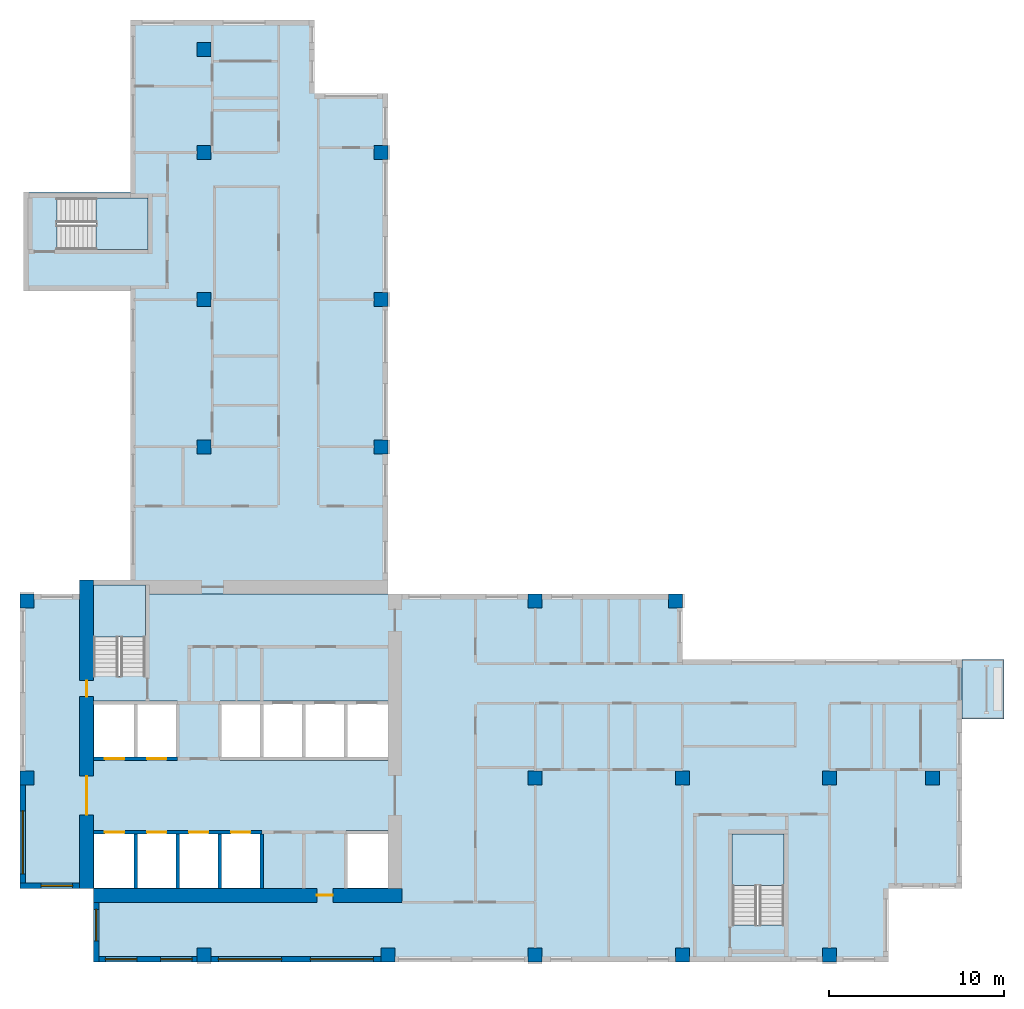
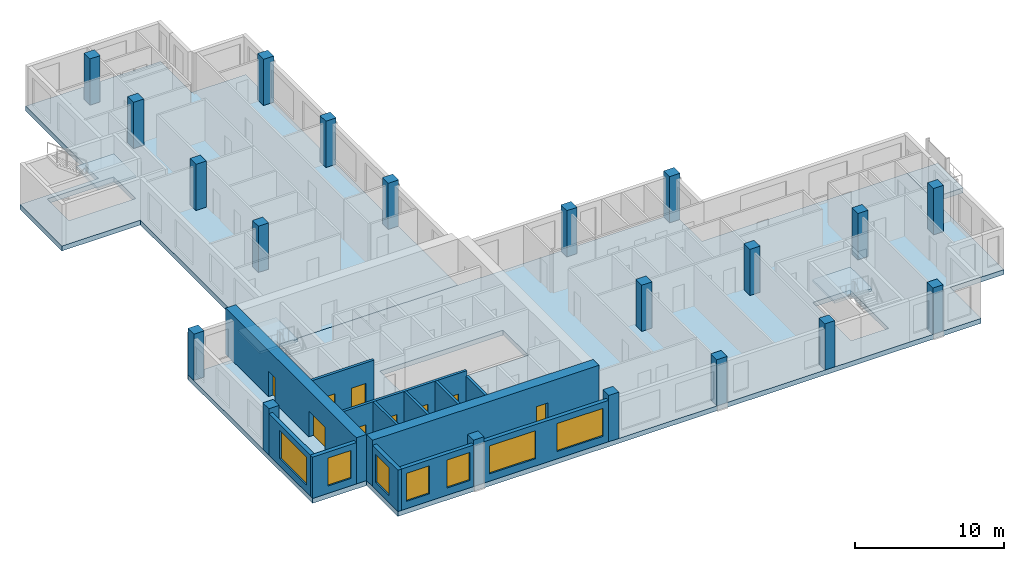
# One storey, part 1 of 11: 20 columns, 13 walls, 9 doors, 7 windows, 6 slabs, 16 openings, 3 elements without a shape of their own.
"""IFC4 building model written with IfcOpenShell, lengths in metres."""

from ifc_helpers import new_model, si_unit, direction, frame, frame_2d, origin, origin_2d, place, context, subcontext, project, spatial, polyline, rectangle, outline, extrude, source, transform, mapped, material, layer, layer_set, material_profile, profile_set, type_object, element, fill, aggregate, save


model = new_model("IFC4")

# Units and contexts
model_context = context("Model", 3, precision=1e-05, world=origin(), true_north=direction((0.0, 1.0)))
body_context = subcontext(model_context, "Body", "Model", "MODEL_VIEW")
ifc_project = project(units=[si_unit("LENGTHUNIT", "METRE"), si_unit("AREAUNIT", "SQUARE_METRE"), si_unit("VOLUMEUNIT", "CUBIC_METRE"), si_unit("PLANEANGLEUNIT", "RADIAN"), si_unit("MASSUNIT", "GRAM", prefix="KILO")], contexts=[model_context])

# Site, building, storey
site_placement = place(None, origin())
site = spatial("IfcSite", under=ifc_project, at=site_placement, CompositionType="ELEMENT")
building_placement = place(site_placement, origin())
building = spatial("IfcBuilding", under=site, at=building_placement, Name="Aurelian Terraces", CompositionType="ELEMENT")
storey_placement = place(building_placement, frame((0.0, 0.0, 265.2)))
storey = spatial("IfcBuildingStorey", under=building, at=storey_placement, Name="L61", CompositionType="ELEMENT", Elevation=265.2)

# Columns
ifc_material_1 = material(Name="Concrete fc' 70 MPa", Category="concrete")
ifc_material_profile = material_profile(ifc_material_1, rectangle(XDim=0.8, YDim=0.8, at=origin_2d()))
ifc_profile_set = profile_set([ifc_material_profile], Name="Concrete fc' 70 MPa")
column_type = type_object("IfcColumnType", Name="RC COLUMN 800X800 FC70", PredefinedType="COLUMN", material=ifc_profile_set)
shared_shape_1 = source(origin(), body_context, "Body", "SweptSolid", [
    extrude(rectangle(XDim=0.8, YDim=0.8, at=origin_2d()), origin(), (0.0, 0.0, 1.0), 3.8),
])
for number, where, z_axis, x_axis, name in (
    (1, (10.5, 0.4, 0.0), (0.0, 0.0, 1.0), (1.0, 0.0, 0.0), "Column 2/A L61"),
    (2, (21.0, 0.4, 0.0), (0.0, 0.0, 1.0), (1.0, 0.0, 0.0), "Column 3/A L61"),
    (3, (29.4, 0.4, 0.0), (0.0, 0.0, 1.0), (1.0, 0.0, 0.0), "Column 4/A L61"),
    (4, (37.8, 0.4, 0.0), (0.0, 0.0, 1.0), (1.0, 0.0, 0.0), "Column 5/A L61"),
    (5, (46.2, 0.4, 0.0), (0.0, 0.0, 1.0), (1.0, 0.0, 0.0), "Column 6/A L61"),
    (6, (0.4, 10.5, 0.0), (0.0, 0.0, 1.0), (1.0, 0.0, 0.0), "Column 1/B L61"),
    (7, (29.4, 10.5, 0.0), (0.0, 0.0, 1.0), (1.0, 0.0, 0.0), "Column 4/B L61"),
    (8, (37.8, 10.5, 0.0), (0.0, 0.0, 1.0), (1.0, 0.0, 0.0), "Column 5/B L61"),
    (9, (46.2, 10.5, 0.0), (0.0, 0.0, 1.0), (1.0, 0.0, 0.0), "Column 6/B L61"),
    (10, (52.08, 10.5, 0.0), (0.0, 0.0, 1.0), (1.0, 0.0, 0.0), "Column 7/B L61"),
    (11, (0.4, 20.6, 0.0), (0.0, 0.0, 1.0), (1.0, 0.0, 0.0), "Column 1/C L61"),
    (12, (29.4, 20.6, 0.0), (0.0, 0.0, 1.0), (1.0, 0.0, 0.0), "Column 4/C L61"),
    (13, (37.4, 20.6, 0.0), (0.0, 0.0, 1.0), (1.0, 0.0, 0.0), "Column 5/C L61"),
    (14, (10.5, 29.4, 0.0), (0.0, 0.0, 1.0), (1.0, 0.0, 0.0), "Column 2/D L61"),
    (15, (20.6, 29.4, 0.0), (0.0, 0.0, 1.0), (1.0, 0.0, 0.0), "Column 3/D L61"),
    (16, (10.5, 37.8, 0.0), (0.0, 0.0, 1.0), (1.0, 0.0, 0.0), "Column 2/E L61"),
    (17, (20.6, 37.8, 0.0), (0.0, 0.0, 1.0), (1.0, 0.0, 0.0), "Column 3/E L61"),
    (18, (10.5, 46.2, 0.0), (0.0, 0.0, 1.0), (1.0, 0.0, 0.0), "Column 2/F L61"),
    (19, (20.6, 46.2, 0.0), (0.0, 0.0, 1.0), (1.0, 0.0, 0.0), "Column 3/F L61"),
    (20, (10.5, 52.08, 0.0), (0.0, 0.0, 1.0), (1.0, 0.0, 0.0), "Column 2/G L61"),
):
    element("IfcColumn", number, at=place(storey_placement, frame(where, z_axis=z_axis, x_axis=x_axis)), inside=storey, type_object=column_type, Name=name, PredefinedType="COLUMN", context=body_context, shape_type="MappedRepresentation", body=[
        mapped(shared_shape_1, transform((0.0, 0.0, 0.0), scale=1.0)),
    ])

# Slabs
ifc_material_2 = material(Name="Concrete fc' 40 MPa", Category="concrete")
ifc_layer_1 = layer(ifc_material_2, 0.4)
ifc_layer_set_1 = layer_set([ifc_layer_1], Name="Balcony slab 400")
slab_type_1 = type_object("IfcSlabType", Name="Balcony slab 400", PredefinedType="NOTDEFINED", material=ifc_layer_set_1)
slab_1_placement = place(storey_placement, frame((0.0, 0.0, -0.4)))
element("IfcSlab", 21, at=slab_1_placement, inside=storey, type_object=slab_type_1, Name="Balcony slab L61 F04.12", PredefinedType="NOTDEFINED", context=body_context, shape_type="SweptSolid", body=[
    extrude(outline(polyline([(53.76, 13.875), (53.76, 17.25), (56.16, 17.25), (56.16, 13.875), (53.76, 13.875)])), origin(), (0.0, 0.0, 1.0), 0.4),
])
ifc_layer_2 = layer(ifc_material_2, 0.4)
ifc_layer_set_2 = layer_set([ifc_layer_2], Name="PT FLAT PLATE 400")
slab_type_2 = type_object("IfcSlabType", Name="PT FLAT PLATE 400", PredefinedType="FLOOR", material=ifc_layer_set_2)
shared_shape_2 = source(origin(), body_context, "Body", "SweptSolid", [
    extrude(outline(polyline([(0.2, 43.95), (6.3, 43.95), (6.3, 49.56), (6.3, 53.76), (10.5, 53.76), (16.8, 53.76), (16.8, 49.56), (21.0, 49.56), (21.0, 21.0), (7.14, 21.0), (7.14, 21.49), (4.21, 21.49), (4.21, 21.0), (4.2, 21.0), (4.2, 21.6), (6.3, 21.6), (6.3, 38.3), (0.2, 38.3), (0.2, 43.95)]), holes=[polyline([(7.29, 43.59), (2.11, 43.59), (2.11, 40.66), (7.29, 40.66), (7.29, 43.59)])]), origin(), (0.0, 0.0, 1.0), 0.4),
])
slab_2_placement = place(storey_placement, frame((0.0, 0.0, -0.4)))
element("IfcSlab", 22, at=slab_2_placement, inside=storey, type_object=slab_type_2, Name="Floor slab W L61", PredefinedType="FLOOR", context=body_context, shape_type="MappedRepresentation", body=[
    mapped(shared_shape_2, transform((0.0, 0.0, 0.0), scale=1.0)),
])
shared_shape_3 = source(origin(), body_context, "Body", "SweptSolid", [
    extrude(outline(polyline([(53.76, 4.2), (49.56, 4.2), (49.56, 0.0), (21.0, 0.0), (4.2, 0.0), (4.2, 4.2), (0.0, 4.2), (0.0, 21.0), (4.21, 21.0), (4.21, 16.31), (7.14, 16.31), (7.14, 21.0), (21.0, 21.0), (37.8, 21.0), (37.8, 17.25), (49.56, 17.25), (53.76, 17.25), (53.76, 16.8), (53.76, 16.65), (53.76, 4.2)]), holes=[polyline([(40.66, 2.11), (43.59, 2.11), (43.59, 7.29), (40.66, 7.29), (40.66, 2.11)]), polyline([(18.61, 7.49), (18.61, 4.21), (20.99, 4.21), (20.99, 7.49), (18.61, 7.49)]), polyline([(20.99, 14.89), (11.41, 14.89), (11.41, 11.51), (20.99, 11.51), (20.99, 14.89)]), polyline([(4.21, 7.49), (4.21, 4.21), (13.79, 4.21), (13.79, 7.49), (4.21, 7.49)]), polyline([(4.21, 14.89), (4.21, 11.51), (8.99, 11.51), (8.99, 14.89), (4.21, 14.89)])]), origin(), (0.0, 0.0, 1.0), 0.4),
])
slab_3_placement = place(storey_placement, frame((0.0, 0.0, -0.4)))
element("IfcSlab", 23, at=slab_3_placement, inside=storey, type_object=slab_type_2, Name="Floor slab S L61", PredefinedType="FLOOR", context=body_context, shape_type="MappedRepresentation", body=[
    mapped(shared_shape_3, transform((0.0, 0.0, 0.0), scale=1.0)),
])

# Stair, slab
stair_type = type_object("IfcStairType", Name="Stair 1400", PredefinedType="HALF_TURN_STAIR", material=ifc_material_2)
stair_1_placement = place(storey_placement, origin())
stair_1 = element("IfcStair", 24, at=stair_1_placement, inside=storey, type_object=stair_type, Name="L61 S1", PredefinedType="HALF_TURN_STAIR")
ifc_layer_3 = layer(ifc_material_2, 0.2)
ifc_layer_set_3 = layer_set([ifc_layer_3], Name="Stair landing 200")
slab_type_3 = type_object("IfcSlabType", Name="Stair landing 200", PredefinedType="LANDING", material=ifc_layer_set_3)
shared_shape_4 = source(origin(), body_context, "Body", "SweptSolid", [
    extrude(outline(polyline([(7.15, 18.55), (7.15, 21.5), (4.2, 21.5), (4.2, 18.55), (7.15, 18.55)])), origin(), (0.0, 0.0, 1.0), 0.2),
])
slab_4_placement = place(storey_placement, frame((0.0, 0.0, 1.7)))
slab_4 = element("IfcSlab", 25, at=slab_4_placement, type_object=slab_type_3, Name="S1 landing 1", PredefinedType="LANDING", context=body_context, shape_type="MappedRepresentation", body=[
    mapped(shared_shape_4, transform((0.0, 0.0, 0.0), scale=1.0)),
])
aggregate(stair_1, [slab_4])

stair_2_placement = place(storey_placement, origin())
stair_2 = element("IfcStair", 26, at=stair_2_placement, inside=storey, type_object=stair_type, Name="L61 S2", PredefinedType="HALF_TURN_STAIR")
shared_shape_5 = source(origin(), body_context, "Body", "SweptSolid", [
    extrude(outline(polyline([(43.6, 4.35), (43.6, 7.3), (40.65, 7.3), (40.65, 4.35), (43.6, 4.35)])), origin(), (0.0, 0.0, 1.0), 0.2),
])
slab_5_placement = place(storey_placement, frame((0.0, 0.0, 1.7)))
slab_5 = element("IfcSlab", 27, at=slab_5_placement, type_object=slab_type_3, Name="S2 landing 1", PredefinedType="LANDING", context=body_context, shape_type="MappedRepresentation", body=[
    mapped(shared_shape_5, transform((0.0, 0.0, 0.0), scale=1.0)),
])
aggregate(stair_2, [slab_5])

stair_3_placement = place(storey_placement, origin())
stair_3 = element("IfcStair", 28, at=stair_3_placement, inside=storey, type_object=stair_type, Name="L61 S3", PredefinedType="HALF_TURN_STAIR")
shared_shape_6 = source(origin(), body_context, "Body", "SweptSolid", [
    extrude(outline(polyline([(4.35, 40.65), (7.3, 40.65), (7.3, 43.6), (4.35, 43.6), (4.35, 40.65)])), origin(), (0.0, 0.0, 1.0), 0.2),
])
slab_6_placement = place(storey_placement, frame((0.0, 0.0, 1.7)))
slab_6 = element("IfcSlab", 29, at=slab_6_placement, type_object=slab_type_3, Name="S3 landing 1", PredefinedType="LANDING", context=body_context, shape_type="MappedRepresentation", body=[
    mapped(shared_shape_6, transform((0.0, 0.0, 0.0), scale=1.0)),
])
aggregate(stair_3, [slab_6])

# Wall, openings, doors
ifc_layer_4 = layer(ifc_material_1, 0.8)
ifc_layer_set_4 = layer_set([ifc_layer_4], Name="CORE WALL 800 FC70")
wall_type_1 = type_object("IfcWallType", Name="CORE WALL 800 FC70", PredefinedType="SHEAR", material=ifc_layer_set_4)
shared_shape_7 = source(origin(), body_context, "Body", "SweptSolid", [
    extrude(rectangle(XDim=17.6, YDim=0.8, at=frame_2d((8.8, 0.0))), origin(), (0.0, 0.0, 1.0), 3.8),
])
wall_1_placement = place(storey_placement, frame((3.8, 4.2, 0.0), z_axis=(0.0, 0.0, 1.0), x_axis=(0.0, 1.0, 0.0)))
wall_1 = element("IfcWall", 30, at=wall_1_placement, inside=storey, type_object=wall_type_1, Name="Core wall W L61", PredefinedType="SHEAR", context=body_context, shape_type="MappedRepresentation", body=[
    mapped(shared_shape_7, transform((0.0, 0.0, 0.0), scale=1.0)),
])
shared_shape_8 = source(origin(), body_context, "Body", "SweptSolid", [
    extrude(rectangle(XDim=2.2, YDim=2.1, at=frame_2d((1.1, 1.05))), frame((0.0, 0.41, 0.0), z_axis=(0.0, -1.0, 0.0), x_axis=(1.0, 0.0, 0.0)), (0.0, 0.0, 1.0), 0.82),
])
opening_1_placement = place(wall_1_placement, frame((4.2, 0.0, 0.0)))
opening_1 = element("IfcOpeningElement", 31, at=opening_1_placement, cuts=wall_1, Name="Opening 66424", PredefinedType="OPENING", context=body_context, shape_type="MappedRepresentation", body=[
    mapped(shared_shape_8, transform((0.0, 0.0, 0.0), scale=1.0)),
])
shared_shape_9 = source(origin(), body_context, "Body", "SweptSolid", [
    extrude(rectangle(XDim=0.9, YDim=2.1, at=frame_2d((0.45, 1.05))), frame((0.0, 0.41, 0.0), z_axis=(0.0, -1.0, 0.0), x_axis=(1.0, 0.0, 0.0)), (0.0, 0.0, 1.0), 0.82),
])
opening_2_placement = place(wall_1_placement, frame((10.95, 0.0, 0.0)))
opening_2 = element("IfcOpeningElement", 32, at=opening_2_placement, cuts=wall_1, Name="Opening 66428", PredefinedType="OPENING", context=body_context, shape_type="MappedRepresentation", body=[
    mapped(shared_shape_9, transform((0.0, 0.0, 0.0), scale=1.0)),
])
ifc_material_3 = material(Name="Steel door leaf", Category="steel")
door_type_1 = type_object("IfcDoorType", Name="Core service door 900x2100 right", OperationType="SINGLE_SWING_RIGHT", PredefinedType="DOOR", material=ifc_material_3)
shared_shape_10 = source(origin(), body_context, "Body", "SweptSolid", [
    extrude(rectangle(XDim=0.9, YDim=2.1, at=frame_2d((0.45, 1.05))), frame((0.0, 0.025, 0.0), z_axis=(0.0, -1.0, 0.0), x_axis=(1.0, 0.0, 0.0)), (0.0, 0.0, 1.0), 0.05),
])
door_1_placement = place(opening_2_placement, origin())
door_1 = element("IfcDoor", 33, at=door_1_placement, inside=storey, type_object=door_type_1, Name="Core door 66428", OperationType="SINGLE_SWING_RIGHT", OverallHeight=2.1, OverallWidth=0.9, PredefinedType="DOOR", context=body_context, shape_type="MappedRepresentation", body=[
    mapped(shared_shape_10, transform((0.0, 0.0, 0.0), scale=1.0)),
])
fill(opening_2, door_1)
door_type_2 = type_object("IfcDoorType", Name="Core double door 2200x2100", OperationType="DOUBLE_DOOR_SINGLE_SWING", PredefinedType="DOOR", material=ifc_material_3)
shared_shape_11 = source(origin(), body_context, "Body", "SweptSolid", [
    extrude(rectangle(XDim=2.2, YDim=2.1, at=frame_2d((1.1, 1.05))), frame((0.0, 0.025, 0.0), z_axis=(0.0, -1.0, 0.0), x_axis=(1.0, 0.0, 0.0)), (0.0, 0.0, 1.0), 0.05),
])
door_2_placement = place(opening_1_placement, origin())
door_2 = element("IfcDoor", 34, at=door_2_placement, inside=storey, type_object=door_type_2, Name="Core door 66424", OperationType="DOUBLE_DOOR_SINGLE_SWING", OverallHeight=2.1, OverallWidth=2.2, PredefinedType="DOOR", context=body_context, shape_type="MappedRepresentation", body=[
    mapped(shared_shape_11, transform((0.0, 0.0, 0.0), scale=1.0)),
])
fill(opening_1, door_2)

# Wall, opening, door
wall_2_placement = place(storey_placement, frame((4.2, 3.8, 0.0), z_axis=(0.0, 0.0, 1.0), x_axis=(1.0, 0.0, 0.0)))
wall_2 = element("IfcWall", 35, at=wall_2_placement, inside=storey, type_object=wall_type_1, Name="Core wall S L61", PredefinedType="SHEAR", context=body_context, shape_type="MappedRepresentation", body=[
    mapped(shared_shape_7, transform((0.0, 0.0, 0.0), scale=1.0)),
])
opening_3_placement = place(wall_2_placement, frame((12.75, 0.0, 0.0)))
opening_3 = element("IfcOpeningElement", 36, at=opening_3_placement, cuts=wall_2, Name="Opening 66427", PredefinedType="OPENING", context=body_context, shape_type="MappedRepresentation", body=[
    mapped(shared_shape_9, transform((0.0, 0.0, 0.0), scale=1.0)),
])
door_type_3 = type_object("IfcDoorType", Name="Core service door 900x2100", OperationType="SINGLE_SWING_LEFT", PredefinedType="DOOR", material=ifc_material_3)
door_3_placement = place(opening_3_placement, origin())
door_3 = element("IfcDoor", 37, at=door_3_placement, inside=storey, type_object=door_type_3, Name="Core door 66427", OperationType="SINGLE_SWING_LEFT", OverallHeight=2.1, OverallWidth=0.9, PredefinedType="DOOR", context=body_context, shape_type="MappedRepresentation", body=[
    mapped(shared_shape_10, transform((0.0, 0.0, 0.0), scale=1.0)),
])
fill(opening_3, door_3)

# Wall, opening, window
ifc_material_4 = material(Name="Terracotta rainscreen cladding", Category="masonry")
ifc_layer_5 = layer(ifc_material_4, 0.3)
ifc_layer_set_5 = layer_set([ifc_layer_5], Name="EW-300")
wall_type_2 = type_object("IfcWallType", Name="EW-300", PredefinedType="STANDARD", material=ifc_layer_set_5)
shared_shape_12 = source(origin(), body_context, "Body", "SweptSolid", [
    extrude(rectangle(XDim=3.4, YDim=0.3, at=frame_2d((1.7, 0.0))), origin(), (0.0, 0.0, 1.0), 3.4),
])
wall_3_placement = place(storey_placement, frame((0.0, 4.35, 0.0), z_axis=(0.0, 0.0, 1.0), x_axis=(1.0, 0.0, 0.0)))
wall_3 = element("IfcWall", 38, at=wall_3_placement, inside=storey, type_object=wall_type_2, Name="External wall L61 F21.34", PredefinedType="STANDARD", context=body_context, shape_type="MappedRepresentation", body=[
    mapped(shared_shape_12, transform((0.0, 0.0, 0.0), scale=1.0)),
])
shared_shape_13 = source(origin(), body_context, "Body", "SweptSolid", [
    extrude(rectangle(XDim=1.8, YDim=2.3, at=frame_2d((0.9, 1.15))), frame((0.0, 0.16, 0.0), z_axis=(0.0, -1.0, 0.0), x_axis=(1.0, 0.0, 0.0)), (0.0, 0.0, 1.0), 0.32),
])
opening_4_placement = place(wall_3_placement, frame((1.2, 0.0, 0.6)))
opening_4 = element("IfcOpeningElement", 39, at=opening_4_placement, cuts=wall_3, Name="Opening W1823", PredefinedType="OPENING", context=body_context, shape_type="MappedRepresentation", body=[
    mapped(shared_shape_13, transform((0.0, 0.0, 0.0), scale=1.0)),
])
ifc_material_5 = material(Name="Clear glazing", Category="glass")
window_type_1 = type_object("IfcWindowType", Name="W-1800x2300", PartitioningType="SINGLE_PANEL", PredefinedType="WINDOW", material=ifc_material_5)
shared_shape_14 = source(origin(), body_context, "Body", "SweptSolid", [
    extrude(rectangle(XDim=1.8, YDim=2.3, at=frame_2d((0.9, 1.15))), frame((0.0, 0.03, 0.0), z_axis=(0.0, -1.0, 0.0), x_axis=(1.0, 0.0, 0.0)), (0.0, 0.0, 1.0), 0.06),
])
window_1_placement = place(opening_4_placement, origin())
window_1 = element("IfcWindow", 40, at=window_1_placement, inside=storey, type_object=window_type_1, Name="Window L61 L61-F21-34-0", OverallHeight=2.3, OverallWidth=1.8, PartitioningType="SINGLE_PANEL", PredefinedType="WINDOW", context=body_context, shape_type="MappedRepresentation", body=[
    mapped(shared_shape_14, transform((0.0, 0.0, 0.0), scale=1.0)),
])
fill(opening_4, window_1)

wall_4_placement = place(storey_placement, frame((4.35, 3.4, 0.0), z_axis=(0.0, 0.0, 1.0), x_axis=(0.0, -1.0, 0.0)))
wall_4 = element("IfcWall", 41, at=wall_4_placement, inside=storey, type_object=wall_type_2, Name="External wall L61 F22.35", PredefinedType="STANDARD", context=body_context, shape_type="MappedRepresentation", body=[
    mapped(shared_shape_12, transform((0.0, 0.0, 0.0), scale=1.0)),
])
opening_5_placement = place(wall_4_placement, frame((0.4, 0.0, 0.6)))
opening_5 = element("IfcOpeningElement", 42, at=opening_5_placement, cuts=wall_4, Name="Opening W1823", PredefinedType="OPENING", context=body_context, shape_type="MappedRepresentation", body=[
    mapped(shared_shape_13, transform((0.0, 0.0, 0.0), scale=1.0)),
])
window_2_placement = place(opening_5_placement, origin())
window_2 = element("IfcWindow", 43, at=window_2_placement, inside=storey, type_object=window_type_1, Name="Window L61 L61-F22-35-0", OverallHeight=2.3, OverallWidth=1.8, PartitioningType="SINGLE_PANEL", PredefinedType="WINDOW", context=body_context, shape_type="MappedRepresentation", body=[
    mapped(shared_shape_14, transform((0.0, 0.0, 0.0), scale=1.0)),
])
fill(opening_5, window_2)

# Wall, openings, windows
shared_shape_15 = source(origin(), body_context, "Body", "SweptSolid", [
    extrude(rectangle(XDim=5.9, YDim=0.3, at=frame_2d((2.95, 0.0))), origin(), (0.0, 0.0, 1.0), 3.4),
])
wall_5_placement = place(storey_placement, frame((4.2, 0.15, 0.0), z_axis=(0.0, 0.0, 1.0), x_axis=(1.0, 0.0, 0.0)))
wall_5 = element("IfcWall", 44, at=wall_5_placement, inside=storey, type_object=wall_type_2, Name="External wall L61 F01.1", PredefinedType="STANDARD", context=body_context, shape_type="MappedRepresentation", body=[
    mapped(shared_shape_15, transform((0.0, 0.0, 0.0), scale=1.0)),
])
opening_6_placement = place(wall_5_placement, frame((0.675, 0.0, 0.6)))
opening_6 = element("IfcOpeningElement", 45, at=opening_6_placement, cuts=wall_5, Name="Opening W1823", PredefinedType="OPENING", context=body_context, shape_type="MappedRepresentation", body=[
    mapped(shared_shape_13, transform((0.0, 0.0, 0.0), scale=1.0)),
])
opening_7_placement = place(wall_5_placement, frame((3.825, 0.0, 0.6)))
opening_7 = element("IfcOpeningElement", 46, at=opening_7_placement, cuts=wall_5, Name="Opening W1823", PredefinedType="OPENING", context=body_context, shape_type="MappedRepresentation", body=[
    mapped(shared_shape_13, transform((0.0, 0.0, 0.0), scale=1.0)),
])
window_3_placement = place(opening_6_placement, origin())
window_3 = element("IfcWindow", 47, at=window_3_placement, inside=storey, type_object=window_type_1, Name="Window L61 L61-F01-01-0", OverallHeight=2.3, OverallWidth=1.8, PartitioningType="SINGLE_PANEL", PredefinedType="WINDOW", context=body_context, shape_type="MappedRepresentation", body=[
    mapped(shared_shape_14, transform((0.0, 0.0, 0.0), scale=1.0)),
])
fill(opening_6, window_3)
window_4_placement = place(opening_7_placement, origin())
window_4 = element("IfcWindow", 48, at=window_4_placement, inside=storey, type_object=window_type_1, Name="Window L61 L61-F01-01-1", OverallHeight=2.3, OverallWidth=1.8, PartitioningType="SINGLE_PANEL", PredefinedType="WINDOW", context=body_context, shape_type="MappedRepresentation", body=[
    mapped(shared_shape_14, transform((0.0, 0.0, 0.0), scale=1.0)),
])
fill(opening_7, window_4)

# Wall, opening, window
wall_6_placement = place(storey_placement, frame((0.15, 10.1, 0.0), z_axis=(0.0, 0.0, 1.0), x_axis=(0.0, -1.0, 0.0)))
wall_6 = element("IfcWall", 49, at=wall_6_placement, inside=storey, type_object=wall_type_2, Name="External wall L61 F20.33", PredefinedType="STANDARD", context=body_context, shape_type="MappedRepresentation", body=[
    mapped(shared_shape_15, transform((0.0, 0.0, 0.0), scale=1.0)),
])
shared_shape_16 = source(origin(), body_context, "Body", "SweptSolid", [
    extrude(rectangle(XDim=3.6, YDim=2.3, at=frame_2d((1.8, 1.15))), frame((0.0, 0.16, 0.0), z_axis=(0.0, -1.0, 0.0), x_axis=(1.0, 0.0, 0.0)), (0.0, 0.0, 1.0), 0.32),
])
opening_8_placement = place(wall_6_placement, frame((1.475, 0.0, 0.6)))
opening_8 = element("IfcOpeningElement", 50, at=opening_8_placement, cuts=wall_6, Name="Opening W3623", PredefinedType="OPENING", context=body_context, shape_type="MappedRepresentation", body=[
    mapped(shared_shape_16, transform((0.0, 0.0, 0.0), scale=1.0)),
])
window_type_2 = type_object("IfcWindowType", Name="W-3600x2300", PartitioningType="SINGLE_PANEL", PredefinedType="WINDOW", material=ifc_material_5)
shared_shape_17 = source(origin(), body_context, "Body", "SweptSolid", [
    extrude(rectangle(XDim=3.6, YDim=2.3, at=frame_2d((1.8, 1.15))), frame((0.0, 0.03, 0.0), z_axis=(0.0, -1.0, 0.0), x_axis=(1.0, 0.0, 0.0)), (0.0, 0.0, 1.0), 0.06),
])
window_5_placement = place(opening_8_placement, origin())
window_5 = element("IfcWindow", 51, at=window_5_placement, inside=storey, type_object=window_type_2, Name="Window L61 L61-F20-33-3", OverallHeight=2.3, OverallWidth=3.6, PartitioningType="SINGLE_PANEL", PredefinedType="WINDOW", context=body_context, shape_type="MappedRepresentation", body=[
    mapped(shared_shape_17, transform((0.0, 0.0, 0.0), scale=1.0)),
])
fill(opening_8, window_5)

# Wall, openings, windows
shared_shape_18 = source(origin(), body_context, "Body", "SweptSolid", [
    extrude(rectangle(XDim=9.7, YDim=0.3, at=frame_2d((4.85, 0.0))), origin(), (0.0, 0.0, 1.0), 3.4),
])
wall_7_placement = place(storey_placement, frame((10.9, 0.15, 0.0), z_axis=(0.0, 0.0, 1.0), x_axis=(1.0, 0.0, 0.0)))
wall_7 = element("IfcWall", 52, at=wall_7_placement, inside=storey, type_object=wall_type_2, Name="External wall L61 F01.2", PredefinedType="STANDARD", context=body_context, shape_type="MappedRepresentation", body=[
    mapped(shared_shape_18, transform((0.0, 0.0, 0.0), scale=1.0)),
])
opening_9_placement = place(wall_7_placement, frame((0.425, 0.0, 0.6)))
opening_9 = element("IfcOpeningElement", 53, at=opening_9_placement, cuts=wall_7, Name="Opening W3623", PredefinedType="OPENING", context=body_context, shape_type="MappedRepresentation", body=[
    mapped(shared_shape_16, transform((0.0, 0.0, 0.0), scale=1.0)),
])
opening_10_placement = place(wall_7_placement, frame((5.675, 0.0, 0.6)))
opening_10 = element("IfcOpeningElement", 54, at=opening_10_placement, cuts=wall_7, Name="Opening W3623", PredefinedType="OPENING", context=body_context, shape_type="MappedRepresentation", body=[
    mapped(shared_shape_16, transform((0.0, 0.0, 0.0), scale=1.0)),
])
window_6_placement = place(opening_9_placement, origin())
window_6 = element("IfcWindow", 55, at=window_6_placement, inside=storey, type_object=window_type_2, Name="Window L61 L61-F01-02-0", OverallHeight=2.3, OverallWidth=3.6, PartitioningType="SINGLE_PANEL", PredefinedType="WINDOW", context=body_context, shape_type="MappedRepresentation", body=[
    mapped(shared_shape_17, transform((0.0, 0.0, 0.0), scale=1.0)),
])
fill(opening_9, window_6)
window_7_placement = place(opening_10_placement, origin())
window_7 = element("IfcWindow", 56, at=window_7_placement, inside=storey, type_object=window_type_2, Name="Window L61 L61-F01-02-1", OverallHeight=2.3, OverallWidth=3.6, PartitioningType="SINGLE_PANEL", PredefinedType="WINDOW", context=body_context, shape_type="MappedRepresentation", body=[
    mapped(shared_shape_17, transform((0.0, 0.0, 0.0), scale=1.0)),
])
fill(opening_10, window_7)

# Walls
ifc_layer_6 = layer(ifc_material_2, 0.2)
ifc_layer_set_6 = layer_set([ifc_layer_6], Name="Lift shaft wall 200")
wall_type_3 = type_object("IfcWallType", Name="Lift shaft wall 200", PredefinedType="SOLIDWALL", material=ifc_layer_set_6)
shared_shape_19 = source(origin(), body_context, "Body", "SweptSolid", [
    extrude(rectangle(XDim=3.1, YDim=0.2, at=frame_2d((1.55, 0.0))), origin(), (0.0, 0.0, 1.0), 3.8),
])
for number, where, z_axis, x_axis, name in (
    (57, (6.6, 4.2, 0.0), (0.0, 0.0, 1.0), (0.0, 1.0, 0.0), "L61 core wall CD-A1"),
    (58, (9.0, 4.2, 0.0), (0.0, 0.0, 1.0), (0.0, 1.0, 0.0), "L61 core wall CD-A2"),
    (59, (11.4, 4.2, 0.0), (0.0, 0.0, 1.0), (0.0, 1.0, 0.0), "L61 core wall CD-A3"),
):
    element("IfcWall", number, at=place(storey_placement, frame(where, z_axis=z_axis, x_axis=x_axis)), inside=storey, type_object=wall_type_3, Name=name, PredefinedType="SOLIDWALL", context=body_context, shape_type="MappedRepresentation", body=[
        mapped(shared_shape_19, transform((0.0, 0.0, 0.0), scale=1.0)),
    ])
shared_shape_20 = source(origin(), body_context, "Body", "SweptSolid", [
    extrude(rectangle(XDim=3.1, YDim=0.2, at=frame_2d((1.55, 0.0))), origin(), (0.0, 0.0, 1.0), 3.4),
])
wall_8_placement = place(storey_placement, frame((13.8, 4.2, 0.0), z_axis=(0.0, 0.0, 1.0), x_axis=(0.0, 1.0, 0.0)))
element("IfcWall", 60, at=wall_8_placement, inside=storey, type_object=wall_type_3, Name="L61 core wall CD-A4", PredefinedType="SOLIDWALL", context=body_context, shape_type="MappedRepresentation", body=[
    mapped(shared_shape_20, transform((0.0, 0.0, 0.0), scale=1.0)),
])

# Wall, openings, doors
shared_shape_21 = source(origin(), body_context, "Body", "SweptSolid", [
    extrude(rectangle(XDim=9.6, YDim=0.2, at=frame_2d((4.8, 0.0))), origin(), (0.0, 0.0, 1.0), 3.8),
])
wall_9_placement = place(storey_placement, frame((4.2, 7.4, 0.0), z_axis=(0.0, 0.0, 1.0), x_axis=(1.0, 0.0, 0.0)))
wall_9 = element("IfcWall", 61, at=wall_9_placement, inside=storey, type_object=wall_type_3, Name="L61 core wall CF-AF1", PredefinedType="SOLIDWALL", context=body_context, shape_type="MappedRepresentation", body=[
    mapped(shared_shape_21, transform((0.0, 0.0, 0.0), scale=1.0)),
])
shared_shape_22 = source(origin(), body_context, "Body", "SweptSolid", [
    extrude(rectangle(XDim=1.1, YDim=2.1, at=frame_2d((0.55, 1.05))), frame((0.0, 0.11, 0.0), z_axis=(0.0, -1.0, 0.0), x_axis=(1.0, 0.0, 0.0)), (0.0, 0.0, 1.0), 0.22),
])
opening_11_placement = place(wall_9_placement, frame((0.65, 0.0, 0.0)))
opening_11 = element("IfcOpeningElement", 62, at=opening_11_placement, cuts=wall_9, Name="Opening 66400", PredefinedType="OPENING", context=body_context, shape_type="MappedRepresentation", body=[
    mapped(shared_shape_22, transform((0.0, 0.0, 0.0), scale=1.0)),
])
opening_12_placement = place(wall_9_placement, frame((3.05, 0.0, 0.0)))
opening_12 = element("IfcOpeningElement", 63, at=opening_12_placement, cuts=wall_9, Name="Opening 66401", PredefinedType="OPENING", context=body_context, shape_type="MappedRepresentation", body=[
    mapped(shared_shape_22, transform((0.0, 0.0, 0.0), scale=1.0)),
])
opening_13_placement = place(wall_9_placement, frame((5.45, 0.0, 0.0)))
opening_13 = element("IfcOpeningElement", 64, at=opening_13_placement, cuts=wall_9, Name="Opening 66402", PredefinedType="OPENING", context=body_context, shape_type="MappedRepresentation", body=[
    mapped(shared_shape_22, transform((0.0, 0.0, 0.0), scale=1.0)),
])
opening_14_placement = place(wall_9_placement, frame((7.85, 0.0, 0.0)))
opening_14 = element("IfcOpeningElement", 65, at=opening_14_placement, cuts=wall_9, Name="Opening 66403", PredefinedType="OPENING", context=body_context, shape_type="MappedRepresentation", body=[
    mapped(shared_shape_22, transform((0.0, 0.0, 0.0), scale=1.0)),
])
ifc_material_6 = material(Name="Stainless steel", Category="steel")
door_type_4 = type_object("IfcDoorType", Name="Lift landing door 1100x2100", OperationType="SLIDING_TO_LEFT", PredefinedType="DOOR", material=ifc_material_6)
shared_shape_23 = source(origin(), body_context, "Body", "SweptSolid", [
    extrude(rectangle(XDim=1.1, YDim=2.1, at=frame_2d((0.55, 1.05))), frame((0.0, 0.025, 0.0), z_axis=(0.0, -1.0, 0.0), x_axis=(1.0, 0.0, 0.0)), (0.0, 0.0, 1.0), 0.05),
])
door_4_placement = place(opening_11_placement, origin())
door_4 = element("IfcDoor", 66, at=door_4_placement, inside=storey, type_object=door_type_4, Name="Lift landing door LM1 L61", OperationType="SLIDING_TO_LEFT", OverallHeight=2.1, OverallWidth=1.1, PredefinedType="DOOR", context=body_context, shape_type="MappedRepresentation", body=[
    mapped(shared_shape_23, transform((0.0, 0.0, 0.0), scale=1.0)),
])
fill(opening_11, door_4)
door_5_placement = place(opening_12_placement, origin())
door_5 = element("IfcDoor", 67, at=door_5_placement, inside=storey, type_object=door_type_4, Name="Lift landing door LM2 L61", OperationType="SLIDING_TO_LEFT", OverallHeight=2.1, OverallWidth=1.1, PredefinedType="DOOR", context=body_context, shape_type="MappedRepresentation", body=[
    mapped(shared_shape_23, transform((0.0, 0.0, 0.0), scale=1.0)),
])
fill(opening_12, door_5)
door_6_placement = place(opening_13_placement, origin())
door_6 = element("IfcDoor", 68, at=door_6_placement, inside=storey, type_object=door_type_4, Name="Lift landing door LM3 L61", OperationType="SLIDING_TO_LEFT", OverallHeight=2.1, OverallWidth=1.1, PredefinedType="DOOR", context=body_context, shape_type="MappedRepresentation", body=[
    mapped(shared_shape_23, transform((0.0, 0.0, 0.0), scale=1.0)),
])
fill(opening_13, door_6)
door_7_placement = place(opening_14_placement, origin())
door_7 = element("IfcDoor", 69, at=door_7_placement, inside=storey, type_object=door_type_4, Name="Lift landing door LM4 L61", OperationType="SLIDING_TO_LEFT", OverallHeight=2.1, OverallWidth=1.1, PredefinedType="DOOR", context=body_context, shape_type="MappedRepresentation", body=[
    mapped(shared_shape_23, transform((0.0, 0.0, 0.0), scale=1.0)),
])
fill(opening_14, door_7)

shared_shape_24 = source(origin(), body_context, "Body", "SweptSolid", [
    extrude(rectangle(XDim=4.8, YDim=0.2, at=frame_2d((2.4, 0.0))), origin(), (0.0, 0.0, 1.0), 3.8),
])
wall_10_placement = place(storey_placement, frame((4.2, 11.6, 0.0), z_axis=(0.0, 0.0, 1.0), x_axis=(1.0, 0.0, 0.0)))
wall_10 = element("IfcWall", 70, at=wall_10_placement, inside=storey, type_object=wall_type_3, Name="L61 core wall CF-BF1", PredefinedType="SOLIDWALL", context=body_context, shape_type="MappedRepresentation", body=[
    mapped(shared_shape_24, transform((0.0, 0.0, 0.0), scale=1.0)),
])
opening_15_placement = place(wall_10_placement, frame((0.65, 0.0, 0.0)))
opening_15 = element("IfcOpeningElement", 71, at=opening_15_placement, cuts=wall_10, Name="Opening 66406", PredefinedType="OPENING", context=body_context, shape_type="MappedRepresentation", body=[
    mapped(shared_shape_22, transform((0.0, 0.0, 0.0), scale=1.0)),
])
opening_16_placement = place(wall_10_placement, frame((3.05, 0.0, 0.0)))
opening_16 = element("IfcOpeningElement", 72, at=opening_16_placement, cuts=wall_10, Name="Opening 66407", PredefinedType="OPENING", context=body_context, shape_type="MappedRepresentation", body=[
    mapped(shared_shape_22, transform((0.0, 0.0, 0.0), scale=1.0)),
])
door_8_placement = place(opening_15_placement, origin())
door_8 = element("IfcDoor", 73, at=door_8_placement, inside=storey, type_object=door_type_4, Name="Lift landing door LM5 L61", OperationType="SLIDING_TO_LEFT", OverallHeight=2.1, OverallWidth=1.1, PredefinedType="DOOR", context=body_context, shape_type="MappedRepresentation", body=[
    mapped(shared_shape_23, transform((0.0, 0.0, 0.0), scale=1.0)),
])
fill(opening_15, door_8)
door_9_placement = place(opening_16_placement, origin())
door_9 = element("IfcDoor", 74, at=door_9_placement, inside=storey, type_object=door_type_4, Name="Lift landing door LM6 L61", OperationType="SLIDING_TO_LEFT", OverallHeight=2.1, OverallWidth=1.1, PredefinedType="DOOR", context=body_context, shape_type="MappedRepresentation", body=[
    mapped(shared_shape_23, transform((0.0, 0.0, 0.0), scale=1.0)),
])
fill(opening_16, door_9)

save(model, "model.ifc")
